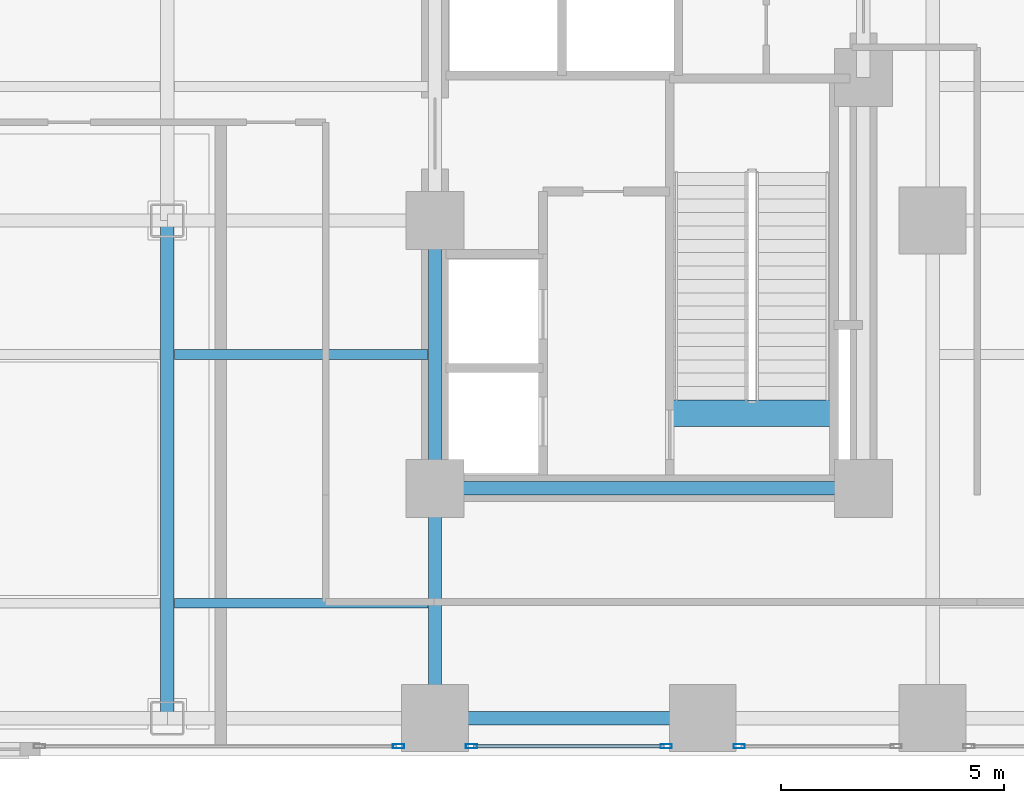
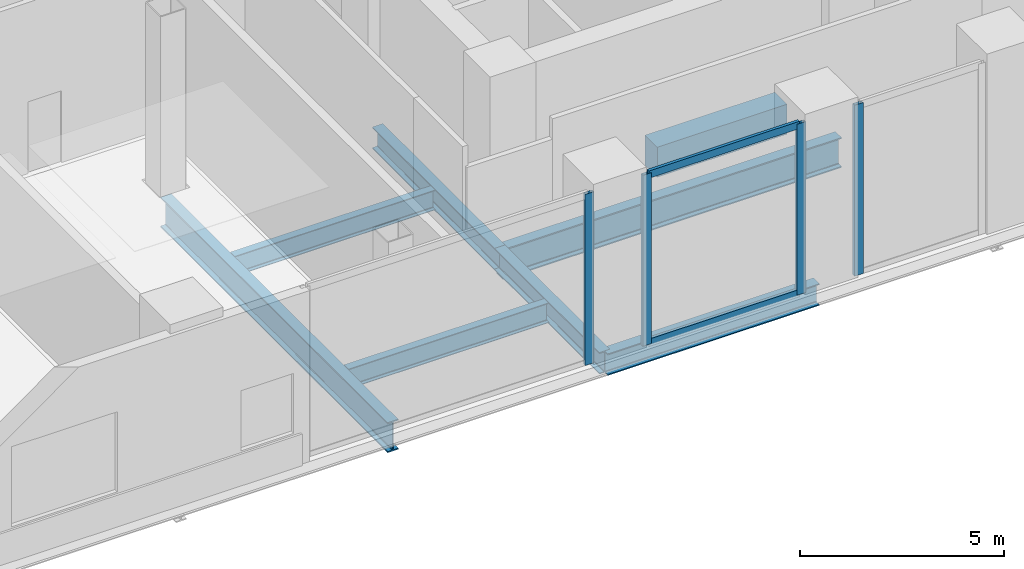
# One storey, part 5 of 27: 8 beams, 6 members, 3 elements without a shape of their own.
"""IFC4 building model written with IfcOpenShell, lengths in metres."""

from ifc_helpers import new_model, si_unit, direction, frame, origin, origin_2d, place, context, subcontext, project, spatial, rectangle, hollow_rectangle, i_section, extrude, material, layer, layer_set, material_profile, profile_set, type_object, element, aggregate, save


model = new_model("IFC4")

# Units and contexts
model_context = context("Model", 3, precision=1e-05, world=origin(), true_north=direction((0.0, 1.0)))
body_context = subcontext(model_context, "Body", "Model", "MODEL_VIEW")
ifc_project = project(units=[si_unit("LENGTHUNIT", "METRE"), si_unit("AREAUNIT", "SQUARE_METRE"), si_unit("VOLUMEUNIT", "CUBIC_METRE"), si_unit("PLANEANGLEUNIT", "RADIAN"), si_unit("MASSUNIT", "GRAM", prefix="KILO"), si_unit("THERMODYNAMICTEMPERATUREUNIT", "KELVIN"), si_unit("POWERUNIT", "WATT")], contexts=[model_context])

# Site, building, storey
site_placement = place(None, origin())
site = spatial("IfcSite", under=ifc_project, at=site_placement, CompositionType="ELEMENT")
building_placement = place(site_placement, origin())
building = spatial("IfcBuilding", under=site, at=building_placement, Name="Svarakhadi Broadcast Tower", CompositionType="ELEMENT")
storey_placement = place(building_placement, frame((0.0, 0.0, 5.699951171875)))
storey = spatial("IfcBuildingStorey", under=building, at=storey_placement, Name="L01", CompositionType="ELEMENT", Elevation=5.699951171875)

# Beams
ifc_material_1 = material(Name="Steel S355J2 (IS 2062 E350C)", Category="steel")
ifc_material_profile_1 = material_profile(ifc_material_1, i_section(OverallWidth=0.219970703125, OverallDepth=0.60009765625, WebThickness=0.011962890625, FlangeThickness=0.01904296875, FilletRadius=0.02392578125, at=origin_2d()), Name="NPB 600x220x122")
ifc_profile_set_1 = profile_set([ifc_material_profile_1], Name="Steel S355J2 (IS 2062 E350C)")
beam_type_1 = type_object("IfcBeamType", Name="Beam_NPB600", PredefinedType="BEAM", material=ifc_profile_set_1)
for number, where, z_axis, x_axis, name in (
    (1, (18.159912109375, 3.425048828125, -0.599853515625), (1.0, 0.0, 0.0), (0.0, 1.0, 0.0), "L01 Secondary Composite Beam SB013"),
    (2, (18.159912109375, 9.0, -0.599853515625), (1.0, 0.0, 0.0), (0.0, 1.0, 0.0), "L01 Secondary Composite Beam SB014"),
):
    element("IfcBeam", number, at=place(storey_placement, frame(where, z_axis=z_axis, x_axis=x_axis)), inside=storey, type_object=beam_type_1, Name=name, PredefinedType="BEAM", context=body_context, shape_type="SweptSolid", body=[
        extrude(i_section(OverallWidth=0.219970703125, OverallDepth=0.60009765625, WebThickness=0.011962890625, FlangeThickness=0.01904296875, FilletRadius=0.02392578125, at=origin_2d()), origin(), (0.0, 0.0, 1.0), 5.68017578125),
    ])

# Curtain wall, member
ifc_material_2 = material(Name="Anodised Bronze Aluminium AA 6063-T6", Category="aluminium")
ifc_layer = layer(ifc_material_2, 0.25)
ifc_layer_set = layer_set([ifc_layer], Name="Anodised Bronze Aluminium AA 6063-T6")
curtain_wall_type = type_object("IfcCurtainWallType", Name="CW_Sys_01", PredefinedType="NOTDEFINED", material=ifc_layer_set)
curtain_wall_1_placement = place(storey_placement, origin())
curtain_wall_1 = element("IfcCurtainWall", 3, at=curtain_wall_1_placement, inside=storey, type_object=curtain_wall_type, Name="L01 South Curtain Wall 11 Bay 3", PredefinedType="NOTDEFINED")
ifc_material_profile_2 = material_profile(ifc_material_2, hollow_rectangle(XDim=0.094970703125, YDim=0.25, WallThickness=0.006103515625, at=origin_2d()), Name="ALU MULLION 250x95x6")
ifc_profile_set_2 = profile_set([ifc_material_profile_2], Name="Anodised Bronze Aluminium AA 6063-T6")
member_type_1 = type_object("IfcMemberType", Name="CW_Sys_01_Mul", PredefinedType="MULLION", material=ifc_profile_set_2)
member_1_placement = place(storey_placement, frame((30.8173828125, 0.219970703125, 0.0), z_axis=(0.0, 0.0, 1.0), x_axis=(0.0, -1.0, 0.0)))
member_1 = element("IfcMember", 4, at=member_1_placement, type_object=member_type_1, Name="CW-01 mullion 2", PredefinedType="MULLION", context=body_context, shape_type="SweptSolid", body=[
    extrude(hollow_rectangle(XDim=0.094970703125, YDim=0.25, WallThickness=0.006103515625, at=origin_2d()), origin(), (0.0, 0.0, 1.0), 5.125),
])
aggregate(curtain_wall_1, [member_1])

# Curtain wall, members
curtain_wall_2_placement = place(storey_placement, origin())
curtain_wall_2 = element("IfcCurtainWall", 5, at=curtain_wall_2_placement, inside=storey, type_object=curtain_wall_type, Name="L01 South Curtain Wall 11 Bay 4", PredefinedType="NOTDEFINED")
member_2_placement = place(storey_placement, frame((29.1826171875, 0.219970703125, 0.0), z_axis=(0.0, 0.0, 1.0), x_axis=(0.0, -1.0, 0.0)))
member_2 = element("IfcMember", 6, at=member_2_placement, type_object=member_type_1, Name="CW-01 mullion 1", PredefinedType="MULLION", context=body_context, shape_type="SweptSolid", body=[
    extrude(hollow_rectangle(XDim=0.094970703125, YDim=0.25, WallThickness=0.006103515625, at=origin_2d()), origin(), (0.0, 0.0, 1.0), 5.125),
])
member_3_placement = place(storey_placement, frame((24.8173828125, 0.219970703125, 0.0), z_axis=(0.0, 0.0, 1.0), x_axis=(0.0, -1.0, 0.0)))
member_3 = element("IfcMember", 7, at=member_3_placement, type_object=member_type_1, Name="CW-01 mullion 2", PredefinedType="MULLION", context=body_context, shape_type="SweptSolid", body=[
    extrude(hollow_rectangle(XDim=0.094970703125, YDim=0.25, WallThickness=0.006103515625, at=origin_2d()), origin(), (0.0, 0.0, 1.0), 5.125),
])

# Curtain wall, member
curtain_wall_3_placement = place(storey_placement, origin())
curtain_wall_3 = element("IfcCurtainWall", 8, at=curtain_wall_3_placement, inside=storey, type_object=curtain_wall_type, Name="L01 South Curtain Wall 11 Bay 5", PredefinedType="NOTDEFINED")
member_4_placement = place(storey_placement, frame((23.1826171875, 0.219970703125, 0.0), z_axis=(0.0, 0.0, 1.0), x_axis=(0.0, -1.0, 0.0)))
member_4 = element("IfcMember", 9, at=member_4_placement, type_object=member_type_1, Name="CW-01 mullion 1", PredefinedType="MULLION", context=body_context, shape_type="SweptSolid", body=[
    extrude(hollow_rectangle(XDim=0.094970703125, YDim=0.25, WallThickness=0.006103515625, at=origin_2d()), origin(), (0.0, 0.0, 1.0), 5.125),
])
aggregate(curtain_wall_3, [member_4])

# Member
ifc_material_profile_3 = material_profile(ifc_material_2, hollow_rectangle(XDim=0.0849609375, YDim=0.219970703125, WallThickness=0.0048828125, at=origin_2d()), Name="ALU TRANSOM 220x85x5")
ifc_profile_set_3 = profile_set([ifc_material_profile_3], Name="Anodised Bronze Aluminium AA 6063-T6")
member_type_2 = type_object("IfcMemberType", Name="CW_Sys_01_Trn", PredefinedType="USERDEFINED", material=ifc_profile_set_3)
member_5_placement = place(storey_placement, frame((29.135009765625, 0.219970703125, 0.04248046875), z_axis=(-1.0, 0.0, 0.0), x_axis=(0.0, -1.0, 0.0)))
member_5 = element("IfcMember", 10, at=member_5_placement, type_object=member_type_2, Name="CW-01 transom 1.1", ObjectType="TRANSOM", PredefinedType="USERDEFINED", context=body_context, shape_type="SweptSolid", body=[
    extrude(hollow_rectangle(XDim=0.0849609375, YDim=0.219970703125, WallThickness=0.0048828125, at=origin_2d()), origin(), (0.0, 0.0, 1.0), 4.27001953125),
])

member_6_placement = place(storey_placement, frame((29.135009765625, 0.219970703125, 5.08251953125), z_axis=(-1.0, 0.0, 0.0), x_axis=(0.0, -1.0, 0.0)))
member_6 = element("IfcMember", 11, at=member_6_placement, type_object=member_type_2, Name="CW-01 transom 1.2", ObjectType="TRANSOM", PredefinedType="USERDEFINED", context=body_context, shape_type="SweptSolid", body=[
    extrude(hollow_rectangle(XDim=0.0849609375, YDim=0.219970703125, WallThickness=0.0048828125, at=origin_2d()), origin(), (0.0, 0.0, 1.0), 4.27001953125),
])

aggregate(curtain_wall_2, [member_2, member_3, member_5, member_6])

# Beams
ifc_material_3 = material(Name="Concrete C50/60 (IS 456 M60)", Category="concrete")
ifc_material_profile_4 = material_profile(ifc_material_3, rectangle(XDim=0.60009765625, YDim=0.89990234375, at=origin_2d()), Name="RC 600x900")
ifc_profile_set_4 = profile_set([ifc_material_profile_4], Name="Concrete C50/60 (IS 456 M60)")
beam_type_2 = type_object("IfcBeamType", Name="Coupling_RC600", PredefinedType="USERDEFINED", material=ifc_profile_set_4)
beam_1_placement = place(storey_placement, frame((29.260009765625, 7.679931640625, -0.449951171875), z_axis=(1.0, 0.0, 0.0), x_axis=(0.0, 1.0, 0.0)))
element("IfcBeam", 12, at=beam_1_placement, inside=storey, type_object=beam_type_2, Name="L01 Stair ST-02 Landing Throat Trimmer Beam CB-01", ObjectType="GIRDER", PredefinedType="USERDEFINED", context=body_context, shape_type="SweptSolid", body=[
    extrude(rectangle(XDim=0.60009765625, YDim=0.89990234375, at=origin_2d()), origin(), (0.0, 0.0, 1.0), 3.679931640625),
])
ifc_material_profile_5 = material_profile(ifc_material_1, i_section(OverallWidth=0.300048828125, OverallDepth=0.64990234375, WebThickness=0.01611328125, FlangeThickness=0.031005859375, FilletRadius=0.027099609375, at=origin_2d()), Name="WPB 650x300x225")
ifc_profile_set_5 = profile_set([ifc_material_profile_5], Name="Steel S355J2 (IS 2062 E350C)")
beam_type_3 = type_object("IfcBeamType", Name="Girder_WPB650", PredefinedType="USERDEFINED", material=ifc_profile_set_5)
beam_2_placement = place(storey_placement, frame((24.0, 0.85009765625, -0.625), z_axis=(1.0, 0.0, 0.0), x_axis=(0.0, 1.0, 0.0)))
element("IfcBeam", 13, at=beam_2_placement, inside=storey, type_object=beam_type_3, Name="L01 Primary E-W Girder G007", ObjectType="GIRDER", PredefinedType="USERDEFINED", context=body_context, shape_type="SweptSolid", body=[
    extrude(i_section(OverallWidth=0.300048828125, OverallDepth=0.64990234375, WebThickness=0.01611328125, FlangeThickness=0.031005859375, FilletRadius=0.027099609375, at=origin_2d()), origin(), (0.0, 0.0, 1.0), 6.0),
])
beam_3_placement = place(storey_placement, frame((24.0, 0.85009765625, -0.625), z_axis=(0.0, 1.0, 0.0), x_axis=(-1.0, 0.0, 0.0)))
element("IfcBeam", 14, at=beam_3_placement, inside=storey, type_object=beam_type_3, Name="L01 Primary N-S Girder G064", ObjectType="GIRDER", PredefinedType="USERDEFINED", context=body_context, shape_type="SweptSolid", body=[
    extrude(i_section(OverallWidth=0.300048828125, OverallDepth=0.64990234375, WebThickness=0.01611328125, FlangeThickness=0.031005859375, FilletRadius=0.027099609375, at=origin_2d()), origin(), (0.0, 0.0, 1.0), 5.14990234375),
])
beam_4_placement = place(storey_placement, frame((24.0, 6.0, -0.625), z_axis=(0.0, 1.0, 0.0), x_axis=(-1.0, 0.0, 0.0)))
element("IfcBeam", 15, at=beam_4_placement, inside=storey, type_object=beam_type_3, Name="L01 Primary N-S Girder G065", ObjectType="GIRDER", PredefinedType="USERDEFINED", context=body_context, shape_type="SweptSolid", body=[
    extrude(i_section(OverallWidth=0.300048828125, OverallDepth=0.64990234375, WebThickness=0.01611328125, FlangeThickness=0.031005859375, FilletRadius=0.027099609375, at=origin_2d()), origin(), (0.0, 0.0, 1.0), 6.0),
])
ifc_material_4 = material(Name="Steel S460ML (IS 2062 E450BR)", Category="steel")
ifc_material_profile_6 = material_profile(ifc_material_4, i_section(OverallWidth=0.300048828125, OverallDepth=0.89990234375, WebThickness=0.0185546875, FlangeThickness=0.034912109375, FilletRadius=0.030029296875, at=origin_2d()), Name="WPB 900x300x291")
ifc_profile_set_6 = profile_set([ifc_material_profile_6], Name="Steel S460ML (IS 2062 E450BR)")
beam_type_4 = type_object("IfcBeamType", Name="Girder_WPB900", PredefinedType="USERDEFINED", material=ifc_profile_set_6)
beam_5_placement = place(storey_placement, frame((24.0, 6.0, -0.75), z_axis=(1.0, 0.0, 0.0), x_axis=(0.0, 1.0, 0.0)))
element("IfcBeam", 16, at=beam_5_placement, inside=storey, type_object=beam_type_4, Name="L01 Primary E-W Girder G013", ObjectType="GIRDER", PredefinedType="USERDEFINED", context=body_context, shape_type="SweptSolid", body=[
    extrude(i_section(OverallWidth=0.300048828125, OverallDepth=0.89990234375, WebThickness=0.0185546875, FlangeThickness=0.034912109375, FilletRadius=0.030029296875, at=origin_2d()), origin(), (0.0, 0.0, 1.0), 9.60009765625),
])
beam_6_placement = place(storey_placement, frame((18.0, 0.85009765625, -0.75), z_axis=(0.0, 1.0, 0.0), x_axis=(-1.0, 0.0, 0.0)))
element("IfcBeam", 17, at=beam_6_placement, inside=storey, type_object=beam_type_4, Name="L01 Primary N-S Girder G059", ObjectType="GIRDER", PredefinedType="USERDEFINED", context=body_context, shape_type="SweptSolid", body=[
    extrude(i_section(OverallWidth=0.300048828125, OverallDepth=0.89990234375, WebThickness=0.0185546875, FlangeThickness=0.034912109375, FilletRadius=0.030029296875, at=origin_2d()), origin(), (0.0, 0.0, 1.0), 11.14990234375),
])

save(model, "model.ifc")
